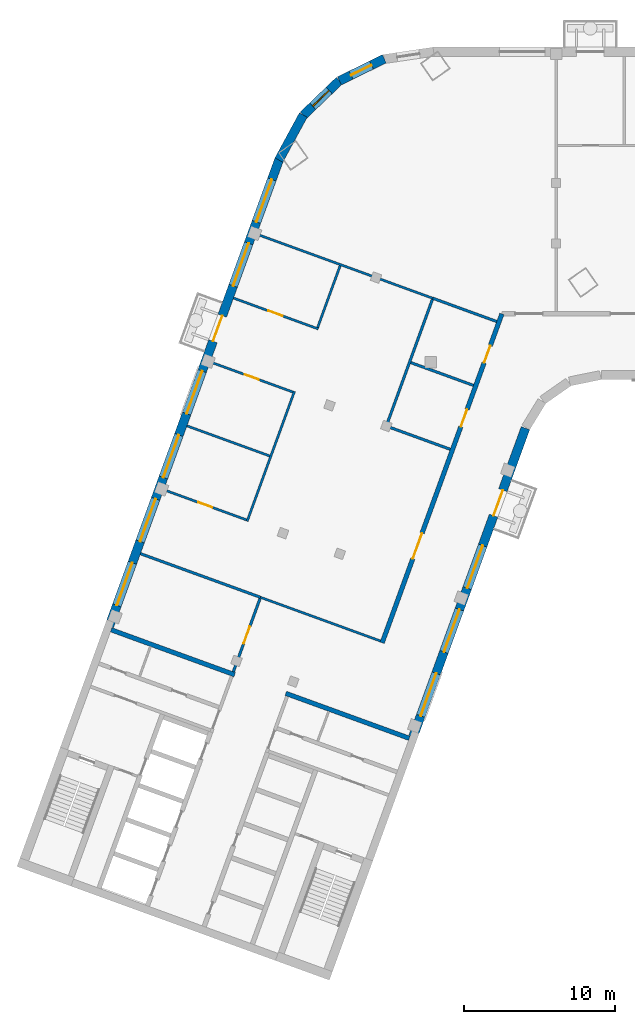
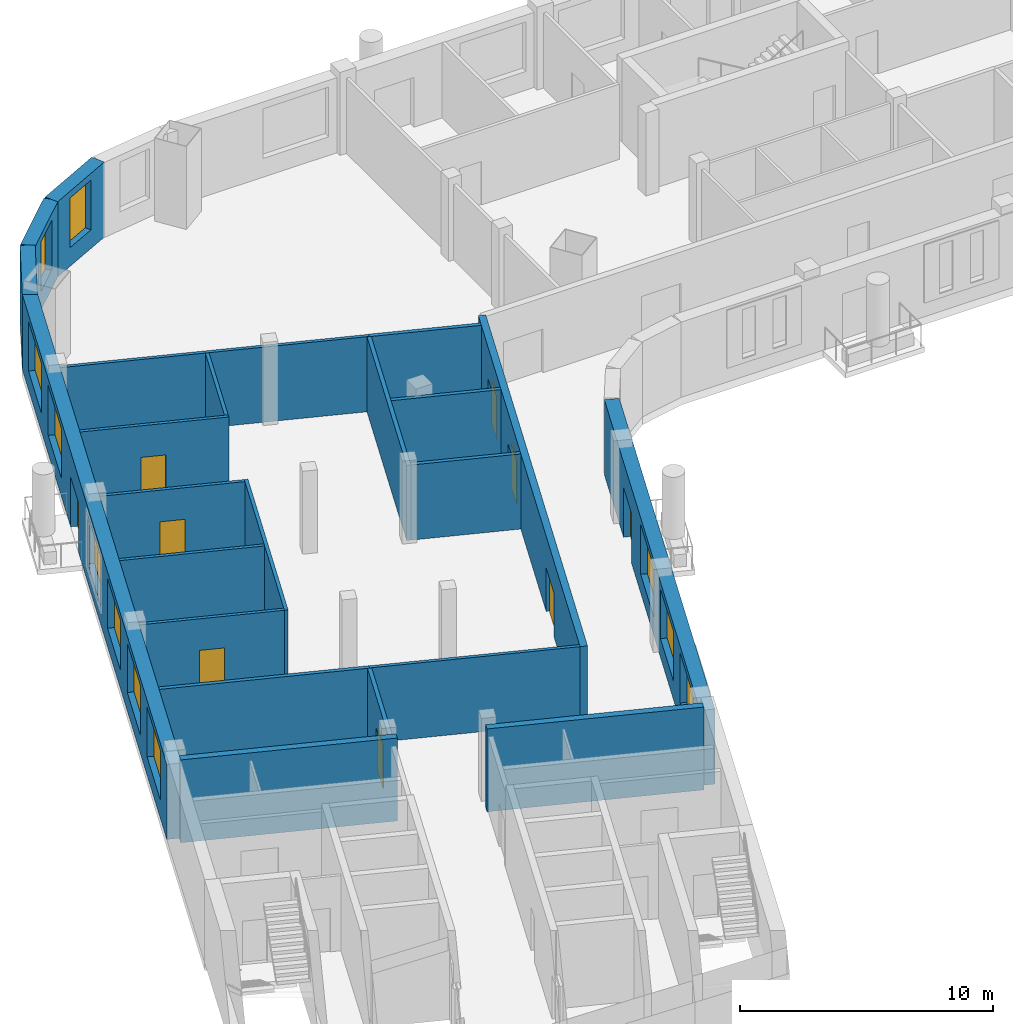
# One storey, part 3 of 10: 22 walls, 11 windows, 9 doors, 20 openings.
"""IFC4 building model written with IfcOpenShell, lengths in metres."""

import ifcopenshell
import ifcopenshell.guid

model = None  # the IFC model being written
_history = None  # IfcOwnerHistory: only IFC2X3 demands one
_inside = {}  # id of a spatial element -> (the spatial element, [elements in it])
_under = {}  # id of a project, library or spatial element -> (it, [spatial elements below it])
_declared = {}  # id of a project -> (the project, [libraries it declares])
_typed = {}  # id of a type object -> (the type object, [elements of that type])
_made_of = {}  # id of a material, layer set ... -> (it, [elements and type objects made of it])


def new_model(schema):
    """Start an empty IFC model of exactly this schema.

    Asked for "IFC4X3", IfcOpenShell would pick the latest addendum, in which some entities
    have other attributes; the version numbers below select the first issue.
    IFC2X3 requires an IfcOwnerHistory on every rooted entity: one is made here for all.
    """
    global model, _history
    if schema == "IFC4X3":
        model = ifcopenshell.file(schema_version=(4, 3, 0, 0))
    else:
        model = ifcopenshell.file(schema=schema)
    _inside.clear()
    _under.clear()
    _declared.clear()
    _typed.clear()
    _made_of.clear()
    _history = None
    if model.schema == "IFC2X3":
        org = make("IfcOrganization", Name="unknown")
        user = make(
            "IfcPersonAndOrganization",
            ThePerson=make("IfcPerson", FamilyName="unknown"),
            TheOrganization=org,
        )
        app = make(
            "IfcApplication",
            ApplicationDeveloper=org,
            Version="unknown",
            ApplicationFullName="unknown",
            ApplicationIdentifier="unknown",
        )
        _history = make(
            "IfcOwnerHistory",
            OwningUser=user,
            OwningApplication=app,
            ChangeAction="ADDED",
            CreationDate=0,
        )
    return model


def make(cls, **values):
    """One entity of the class cls with the attributes given. An attribute that is None is left unset."""
    return model.create_entity(
        cls, **{name: value for name, value in values.items() if value is not None}
    )


def rooted(cls, **values):
    """An entity with a GlobalId (a new one), such as an element, a storey or a relation."""
    return make(cls, GlobalId=ifcopenshell.guid.new(), OwnerHistory=_history, **values)


def si_unit(unit_type, name, prefix=None):
    """IfcSIUnit, for example si_unit("LENGTHUNIT", "METRE", prefix="MILLI")."""
    return make("IfcSIUnit", UnitType=unit_type, Prefix=prefix, Name=name)


def assignment(units):
    """IfcUnitAssignment: the units of a project."""
    return None if units is None else make("IfcUnitAssignment", Units=units)


def point(xyz):
    """IfcCartesianPoint."""
    return None if xyz is None else make("IfcCartesianPoint", Coordinates=xyz)


def direction(xyz):
    """IfcDirection."""
    return None if xyz is None else make("IfcDirection", DirectionRatios=xyz)


def frame(location, z_axis=None, x_axis=None):
    """IfcAxis2Placement3D, a coordinate frame: its origin and axes. An axis left out is left unset."""
    return make(
        "IfcAxis2Placement3D",
        Location=point(location),
        Axis=direction(z_axis),
        RefDirection=direction(x_axis),
    )


def frame_2d(location, x_axis=None):
    """IfcAxis2Placement2D, a coordinate frame in the plane: its origin and x axis."""
    return make(
        "IfcAxis2Placement2D", Location=point(location), RefDirection=direction(x_axis)
    )


def origin():
    """The frame at (0, 0, 0) with its axes left unset."""
    return frame((0.0, 0.0, 0.0))


def place(relative_to, where):
    """IfcLocalPlacement: puts the frame where relative to a parent placement (None: the world)."""
    return make(
        "IfcLocalPlacement", PlacementRelTo=relative_to, RelativePlacement=where
    )


def context(
    kind, dimensions, precision=None, world=None, true_north=None, identifier=None
):
    """IfcGeometricRepresentationContext, for example the 3D "Model" context."""
    return make(
        "IfcGeometricRepresentationContext",
        ContextIdentifier=identifier,
        ContextType=kind,
        CoordinateSpaceDimension=dimensions,
        Precision=precision,
        WorldCoordinateSystem=world,
        TrueNorth=true_north,
    )


def subcontext(parent, identifier, kind, view, scale=None):
    """IfcGeometricRepresentationSubContext, for example "Body" below "Model"."""
    return make(
        "IfcGeometricRepresentationSubContext",
        ContextIdentifier=identifier,
        ContextType=kind,
        ParentContext=parent,
        TargetScale=scale,
        TargetView=view,
    )


def project(units=None, contexts=None):
    """IfcProject with its units and contexts."""
    return rooted(
        "IfcProject",
        Name="project",
        RepresentationContexts=contexts,
        UnitsInContext=assignment(units),
    )


def spatial(cls, under=None, at=None, **own):
    """A site, building, storey or space (cls), placed at a placement, below another one or the project."""
    s = rooted(cls, ObjectPlacement=at, **own)
    if under is not None:
        _under.setdefault(under.id(), (under, []))[1].append(s)
    return s


def profile(cls, at=None, kind="AREA", **sizes):
    """A parametric profile (cls). Its sizes go by their IFC names, for example OverallWidth=200.0."""
    return make(cls, ProfileType=kind, Position=at, **sizes)


def rectangle(**sizes):
    """IfcRectangleProfileDef."""
    return profile("IfcRectangleProfileDef", **sizes)


def extrude(swept, where, along, depth):
    """IfcExtrudedAreaSolid: the profile swept, set in the frame where, extruded along a direction by depth."""
    return make(
        "IfcExtrudedAreaSolid",
        SweptArea=swept,
        Position=where,
        ExtrudedDirection=direction(along),
        Depth=depth,
    )


def shape(context_of_items, identifier, shape_type, items):
    """IfcShapeRepresentation: the items that make up one representation, for example the "Body"."""
    return make(
        "IfcShapeRepresentation",
        ContextOfItems=context_of_items,
        RepresentationIdentifier=identifier,
        RepresentationType=shape_type,
        Items=items,
    )


def material(Name=None, Category=None):
    """IfcMaterial."""
    return make("IfcMaterial", Name=Name, Category=Category)


def layer(
    of_material, thickness, ventilated=None, Name=None, Category=None, Priority=None
):
    """IfcMaterialLayer: one layer of a wall or slab, of a material (None: an air gap)."""
    return make(
        "IfcMaterialLayer",
        Material=of_material,
        LayerThickness=thickness,
        IsVentilated=ventilated,
        Name=Name,
        Category=Category,
        Priority=Priority,
    )


def layer_set(layers, Name=None):
    """IfcMaterialLayerSet."""
    return make("IfcMaterialLayerSet", MaterialLayers=layers, LayerSetName=Name)


def made_of(thing, what):
    """Note that an element or type object is made of a material, layer set ...; save() writes the relation."""
    if what is not None:
        _made_of.setdefault(what.id(), (what, []))[1].append(thing)
    return thing


def type_object(cls, material=None, **own):
    """A type object (cls), such as IfcWallType, which elements share."""
    return made_of(rooted(cls, **own), material)


def element(
    cls,
    number,
    at=None,
    inside=None,
    cuts=None,
    type_object=None,
    material=None,
    context=None,
    identifier="Body",
    shape_type=None,
    held_by="IfcProductDefinitionShape",
    body=None,
    shapes=None,
    **own,
):
    """One element of the class cls, such as IfcWall. Its Tag is "e" and its number.

    at: its placement. inside: the storey or other place that contains it. cuts: it is an
    opening in that element (IfcRelVoidsElement). A single representation is given by context,
    identifier, shape_type and body (its items); several are given by shapes. held_by: the class
    of the entity that holds the representations. save() writes the other relations.
    """
    e = rooted(cls, Tag="e%d" % number, ObjectPlacement=at, **own)
    if body is not None:
        shapes = [shape(context, identifier, shape_type, body)]
    if shapes is not None:
        e.Representation = make(held_by, Representations=shapes)
    if inside is not None:
        _inside.setdefault(inside.id(), (inside, []))[1].append(e)
    if cuts is not None:
        rooted(
            "IfcRelVoidsElement", RelatingBuildingElement=cuts, RelatedOpeningElement=e
        )
    if type_object is not None:
        _typed.setdefault(type_object.id(), (type_object, []))[1].append(e)
    return made_of(e, material)


def fill(opening, filler):
    """IfcRelFillsElement: the door or window that sits in an opening."""
    return rooted(
        "IfcRelFillsElement",
        RelatingOpeningElement=opening,
        RelatedBuildingElement=filler,
    )


def aggregate(whole, parts):
    """IfcRelAggregates: a whole, such as a stair, and the parts it consists of."""
    return rooted("IfcRelAggregates", RelatingObject=whole, RelatedObjects=parts)


def save(model, path):
    """Write the relations noted so far, then the file.

    IfcRelAggregates (storeys below a building ...), IfcRelContainedInSpatialStructure (elements
    in a storey), IfcRelDefinesByType, IfcRelAssociatesMaterial and IfcRelDeclares: one each for
    every whole, place, type object, material and project.
    """
    for whole, parts in _under.values():
        aggregate(whole, parts)
    for where, things in _inside.values():
        rooted(
            "IfcRelContainedInSpatialStructure",
            RelatedElements=things,
            RelatingStructure=where,
        )
    for kind, things in _typed.values():
        rooted("IfcRelDefinesByType", RelatedObjects=things, RelatingType=kind)
    for what, things in _made_of.values():
        rooted("IfcRelAssociatesMaterial", RelatedObjects=things, RelatingMaterial=what)
    for by, libraries in _declared.values():
        rooted("IfcRelDeclares", RelatingContext=by, RelatedDefinitions=libraries)
    model.write(path)


model = new_model("IFC4")

# Units and contexts
model_context = context("Model", 3, precision=1e-05, world=origin(), true_north=direction((0.0, 1.0)))
body_context = subcontext(model_context, "Body", "Model", "MODEL_VIEW")
ifc_project = project(units=[si_unit("LENGTHUNIT", "METRE"), si_unit("AREAUNIT", "SQUARE_METRE"), si_unit("VOLUMEUNIT", "CUBIC_METRE"), si_unit("PLANEANGLEUNIT", "RADIAN"), si_unit("MASSUNIT", "GRAM", prefix="KILO")], contexts=[model_context])

# Site, building, storey
site_placement = place(None, origin())
site = spatial("IfcSite", under=ifc_project, at=site_placement, CompositionType="ELEMENT")
building_placement = place(site_placement, origin())
building = spatial("IfcBuilding", under=site, at=building_placement, Name="Skarvind Civic Tower", CompositionType="ELEMENT")
storey_placement = place(building_placement, frame((0.0, 0.0, 228.0)))
storey = spatial("IfcBuildingStorey", under=building, at=storey_placement, Name="L54", CompositionType="ELEMENT", Elevation=228.0)

# Wall
ifc_material_1 = material(Name="Acoustic gypsum board on steel studs", Category="steel")
ifc_layer_1 = layer(ifc_material_1, 0.175048828125)
ifc_layer_set_1 = layer_set([ifc_layer_1], Name="ACOUSTIC MEETING-ROOM PARTITION 175")
wall_type_1 = type_object("IfcWallType", Name="ACOUSTIC MEETING-ROOM PARTITION 175", PredefinedType="PARTITIONING", material=ifc_layer_set_1)
wall_1_placement = place(storey_placement, frame((26.736083984375, 105.47998046875, 0.0), z_axis=(0.0, 0.0, 1.0), x_axis=(0.939706509432, -0.341981982173, 0.0)))
element("IfcWall", 1, at=wall_1_placement, inside=storey, type_object=wall_type_1, Name="Partition 54.001", PredefinedType="PARTITIONING", context=body_context, shape_type="SweptSolid", body=[
    extrude(rectangle(XDim=8.450439453125, YDim=0.175048828125, at=frame_2d((4.22509765625, 0.0))), origin(), (0.0, 0.0, 1.0), 3.625),
])

# Wall, opening, door
wall_2_placement = place(storey_placement, frame((32.881103515625, 97.656982421875, 0.0), z_axis=(0.0, 0.0, 1.0), x_axis=(0.342058204353, 0.939678766832, 0.0)))
wall_2 = element("IfcWall", 2, at=wall_2_placement, inside=storey, type_object=wall_type_1, Name="Partition 54.007", PredefinedType="PARTITIONING", context=body_context, shape_type="SweptSolid", body=[
    extrude(rectangle(XDim=5.16259765625, YDim=0.175048828125, at=frame_2d((2.581298828125, 0.0))), origin(), (0.0, 0.0, 1.0), 3.625),
])
opening_1_placement = place(wall_2_placement, frame((1.9912109375, 0.0, 0.0)))
opening_1 = element("IfcOpeningElement", 3, at=opening_1_placement, cuts=wall_2, Name="Opening L54-D015", PredefinedType="OPENING", context=body_context, shape_type="SweptSolid", body=[
    extrude(rectangle(XDim=1.199951171875, YDim=2.10009765625, at=frame_2d((0.60009765625, 1.050048828125))), frame((0.0, 0.097412109375, 0.0), z_axis=(0.0, -1.0, 0.0), x_axis=(1.0, 0.0, 0.0)), (0.0, 0.0, 1.0), 0.195068359375),
])
ifc_material_2 = material(Name="Timber door leaf", Category="wood")
door_type_1 = type_object("IfcDoorType", Name="DOOR 1200X2100 DOUBLE TIMBER", OperationType="NOTDEFINED", PredefinedType="DOOR", material=ifc_material_2)
door_1_placement = place(opening_1_placement, origin())
door_1 = element("IfcDoor", 4, at=door_1_placement, inside=storey, type_object=door_type_1, Name="Door L54-D015", OperationType="DOUBLE_DOOR_SINGLE_SWING", OverallHeight=2.10009765625, OverallWidth=1.199951171875, PredefinedType="DOOR", context=body_context, shape_type="SweptSolid", body=[
    extrude(rectangle(XDim=1.199951171875, YDim=2.10009765625, at=frame_2d((0.60009765625, 1.050048828125))), frame((0.0, 0.02490234375, 0.0), z_axis=(0.0, -1.0, 0.0), x_axis=(1.0, 0.0, 0.0)), (0.0, 0.0, 1.0), 0.050048828125),
])
fill(opening_1, door_1)

# Walls
for number, where, z_axis, x_axis, name in (
    (5, (43.087890625, 113.89501953125, 0.0), (0.0, 0.0, 1.0), (0.939691598517, -0.342022951975, 0.0), "Partition 54.012"),
    (6, (44.626953125, 118.1240234375, 0.0), (0.0, 0.0, 1.0), (0.939691598517, -0.342022951975, 0.0), "Partition 54.013"),
):
    element("IfcWall", number, at=place(storey_placement, frame(where, z_axis=z_axis, x_axis=x_axis)), inside=storey, type_object=wall_type_1, Name=name, PredefinedType="PARTITIONING", context=body_context, shape_type="SweptSolid", body=[
        extrude(rectangle(XDim=4.412109375, YDim=0.175048828125, at=frame_2d((2.2060546875, 0.0))), origin(), (0.0, 0.0, 1.0), 3.625),
    ])
wall_3_placement = place(storey_placement, frame((46.053955078125, 122.301025390625, 0.0), z_axis=(0.0, 0.0, 1.0), x_axis=(-0.341963022424, -0.939713409128, 0.0)))
element("IfcWall", 7, at=wall_3_placement, inside=storey, type_object=wall_type_1, Name="Partition 54.014", PredefinedType="PARTITIONING", context=body_context, shape_type="SweptSolid", body=[
    extrude(rectangle(XDim=9.000732421875, YDim=0.175048828125, at=frame_2d((4.50048828125, 0.0))), origin(), (0.0, 0.0, 1.0), 3.625),
])
wall_4_placement = place(storey_placement, frame((50.31201171875, 120.843017578125, 0.0), z_axis=(0.0, 0.0, 1.0), x_axis=(-0.939609529273, 0.342248349154, 0.0)))
element("IfcWall", 8, at=wall_4_placement, inside=storey, type_object=wall_type_1, Name="Partition 54.015", PredefinedType="PARTITIONING", context=body_context, shape_type="SweptSolid", body=[
    extrude(rectangle(XDim=4.499755859375, YDim=0.175048828125, at=frame_2d((2.25, 0.0))), origin(), (0.0, 0.0, 1.0), 3.625),
])

# Wall, openings, doors
ifc_material_3 = material(Name="Fire-rated gypsum board on steel studs", Category="steel")
ifc_layer_2 = layer(ifc_material_3, 0.300048828125)
ifc_layer_set_2 = layer_set([ifc_layer_2], Name="CORRIDOR WALL 300")
wall_type_2 = type_object("IfcWallType", Name="CORRIDOR WALL 300", PredefinedType="PARTITIONING", material=ifc_layer_set_2)
wall_5_placement = place(storey_placement, frame((42.73193359375, 99.5791015625, 0.0), z_axis=(0.0, 0.0, 1.0), x_axis=(0.342053589012, 0.939680446877, 0.0)))
wall_5 = element("IfcWall", 9, at=wall_5_placement, inside=storey, type_object=wall_type_2, Name="Partition 54.011", PredefinedType="PARTITIONING", context=body_context, shape_type="SweptSolid", body=[
    extrude(rectangle(XDim=23.166259765625, YDim=0.300048828125, at=frame_2d((11.5830078125, 0.0))), origin(), (0.0, 0.0, 1.0), 3.625),
])
opening_2_placement = place(wall_5_placement, frame((15.224853515625, 0.0, 0.0)))
opening_2 = element("IfcOpeningElement", 10, at=opening_2_placement, cuts=wall_5, Name="Opening L54-D016", PredefinedType="OPENING", context=body_context, shape_type="SweptSolid", body=[
    extrude(rectangle(XDim=1.199951171875, YDim=2.10009765625, at=frame_2d((0.60009765625, 1.050048828125))), frame((0.0, 0.159912109375, 0.0), z_axis=(0.0, -1.0, 0.0), x_axis=(1.0, 0.0, 0.0)), (0.0, 0.0, 1.0), 0.320068359375),
])
opening_3_placement = place(wall_5_placement, frame((19.724609375, 0.0, 0.0)))
opening_3 = element("IfcOpeningElement", 11, at=opening_3_placement, cuts=wall_5, Name="Opening L54-D017", PredefinedType="OPENING", context=body_context, shape_type="SweptSolid", body=[
    extrude(rectangle(XDim=1.199951171875, YDim=2.10009765625, at=frame_2d((0.60009765625, 1.050048828125))), frame((0.0, 0.159912109375, 0.0), z_axis=(0.0, -1.0, 0.0), x_axis=(1.0, 0.0, 0.0)), (0.0, 0.0, 1.0), 0.320068359375),
])
opening_4_placement = place(wall_5_placement, frame((5.924560546875, 0.0, 0.0)))
opening_4 = element("IfcOpeningElement", 12, at=opening_4_placement, cuts=wall_5, Name="Opening L54-D021", PredefinedType="OPENING", context=body_context, shape_type="SweptSolid", body=[
    extrude(rectangle(XDim=1.800048828125, YDim=2.10009765625, at=frame_2d((0.89990234375, 1.050048828125))), frame((0.0, 0.159912109375, 0.0), z_axis=(0.0, -1.0, 0.0), x_axis=(1.0, 0.0, 0.0)), (0.0, 0.0, 1.0), 0.320068359375),
])
ifc_material_4 = material(Name="Fire-rated timber door leaf", Category="wood")
door_type_2 = type_object("IfcDoorType", Name="FD4 1800x2100", OperationType="NOTDEFINED", PredefinedType="DOOR", material=ifc_material_4)
door_2_placement = place(opening_4_placement, origin())
door_2 = element("IfcDoor", 13, at=door_2_placement, inside=storey, type_object=door_type_2, Name="Door L54-D021", OperationType="DOUBLE_DOOR_SINGLE_SWING", OverallHeight=2.10009765625, OverallWidth=1.800048828125, PredefinedType="DOOR", context=body_context, shape_type="SweptSolid", body=[
    extrude(rectangle(XDim=1.800048828125, YDim=2.10009765625, at=frame_2d((0.89990234375, 1.050048828125))), frame((0.0, 0.02490234375, 0.0), z_axis=(0.0, -1.0, 0.0), x_axis=(1.0, 0.0, 0.0)), (0.0, 0.0, 1.0), 0.050048828125),
])
fill(opening_4, door_2)
door_type_3 = type_object("IfcDoorType", Name="FD6 1200x2100 DOUBLE", OperationType="NOTDEFINED", PredefinedType="DOOR", material=ifc_material_4)
door_3_placement = place(opening_2_placement, origin())
door_3 = element("IfcDoor", 14, at=door_3_placement, inside=storey, type_object=door_type_3, Name="Door L54-D016", OperationType="DOUBLE_DOOR_SINGLE_SWING", OverallHeight=2.10009765625, OverallWidth=1.199951171875, PredefinedType="DOOR", context=body_context, shape_type="SweptSolid", body=[
    extrude(rectangle(XDim=1.199951171875, YDim=2.10009765625, at=frame_2d((0.60009765625, 1.050048828125))), frame((0.0, 0.02490234375, 0.0), z_axis=(0.0, -1.0, 0.0), x_axis=(1.0, 0.0, 0.0)), (0.0, 0.0, 1.0), 0.050048828125),
])
fill(opening_2, door_3)
door_4_placement = place(opening_3_placement, origin())
door_4 = element("IfcDoor", 15, at=door_4_placement, inside=storey, type_object=door_type_3, Name="Door L54-D017", OperationType="DOUBLE_DOOR_SINGLE_SWING", OverallHeight=2.10009765625, OverallWidth=1.199951171875, PredefinedType="DOOR", context=body_context, shape_type="SweptSolid", body=[
    extrude(rectangle(XDim=1.199951171875, YDim=2.10009765625, at=frame_2d((0.60009765625, 1.050048828125))), frame((0.0, 0.02490234375, 0.0), z_axis=(0.0, -1.0, 0.0), x_axis=(1.0, 0.0, 0.0)), (0.0, 0.0, 1.0), 0.050048828125),
])
fill(opening_3, door_4)

# Walls
ifc_material_5 = material(Name="Concrete C60", Category="concrete")
ifc_layer_3 = layer(ifc_material_5, 0.300048828125)
ifc_layer_set_3 = layer_set([ifc_layer_3], Name="Core wall 300 C60")
wall_type_3 = type_object("IfcWallType", Name="Core wall 300 C60", PredefinedType="SHEAR", material=ifc_layer_set_3)
wall_6_placement = place(storey_placement, frame((44.52880859375, 93.258056640625, 0.0), z_axis=(0.0, 0.0, 1.0), x_axis=(-0.9396917844, 0.342022441267, 0.0)))
element("IfcWall", 16, at=wall_6_placement, inside=storey, type_object=wall_type_3, Name="Core wall C2 south inner face L54", PredefinedType="SHEAR", context=body_context, shape_type="SweptSolid", body=[
    extrude(rectangle(XDim=8.699951171875, YDim=0.300048828125, at=frame_2d((4.35009765625, 0.0))), origin(), (0.0, 0.0, 1.0), 4.0),
])
wall_7_placement = place(storey_placement, frame((32.970703125, 97.46484375, 0.0), z_axis=(0.0, 0.0, 1.0), x_axis=(-0.939695066972, 0.34201342241, 0.0)))
element("IfcWall", 17, at=wall_7_placement, inside=storey, type_object=wall_type_3, Name="Core wall C2 north inner face L54", PredefinedType="SHEAR", context=body_context, shape_type="SweptSolid", body=[
    extrude(rectangle(XDim=8.7001953125, YDim=0.300048828125, at=frame_2d((4.35009765625, 0.0))), origin(), (0.0, 0.0, 1.0), 4.0),
])
ifc_material_6 = material(Name="Plasterboard partition on steel studs", Category="steel")
ifc_layer_4 = layer(ifc_material_6, 0.14990234375)
ifc_layer_set_4 = layer_set([ifc_layer_4], Name="PARTITION 150")
wall_type_4 = type_object("IfcWallType", Name="PARTITION 150", PredefinedType="PARTITIONING", material=ifc_layer_set_4)
wall_8_placement = place(storey_placement, frame((29.81396484375, 113.93798828125, 0.0), z_axis=(0.0, 0.0, 1.0), x_axis=(0.939738354986, -0.341894463495, 0.0)))
element("IfcWall", 18, at=wall_8_placement, inside=storey, type_object=wall_type_4, Name="Partition 54.002", PredefinedType="PARTITIONING", context=body_context, shape_type="SweptSolid", body=[
    extrude(rectangle(XDim=5.826171875, YDim=0.14990234375, at=frame_2d((2.9130859375, 0.0))), origin(), (0.0, 0.0, 1.0), 3.625),
])

# Wall, opening, door
wall_9_placement = place(storey_placement, frame((31.35302734375, 118.166015625, 0.0), z_axis=(0.0, 0.0, 1.0), x_axis=(0.939733456466, -0.341907927371, 0.0)))
wall_9 = element("IfcWall", 19, at=wall_9_placement, inside=storey, type_object=wall_type_4, Name="Partition 54.003", PredefinedType="PARTITIONING", context=body_context, shape_type="SweptSolid", body=[
    extrude(rectangle(XDim=5.825927734375, YDim=0.14990234375, at=frame_2d((2.9130859375, 0.0))), origin(), (0.0, 0.0, 1.0), 3.625),
])
opening_5_placement = place(wall_9_placement, frame((2.42333984375, 0.0, 0.0)))
opening_5 = element("IfcOpeningElement", 20, at=opening_5_placement, cuts=wall_9, Name="Opening L54-D019", PredefinedType="OPENING", context=body_context, shape_type="SweptSolid", body=[
    extrude(rectangle(XDim=1.0, YDim=2.10009765625, at=frame_2d((0.5, 1.050048828125))), frame((0.0, 0.0849609375, 0.0), z_axis=(0.0, -1.0, 0.0), x_axis=(1.0, 0.0, 0.0)), (0.0, 0.0, 1.0), 0.169921875),
])
door_type_4 = type_object("IfcDoorType", Name="D1 1000x2100", OperationType="NOTDEFINED", PredefinedType="DOOR", material=ifc_material_2)
door_5_placement = place(opening_5_placement, origin())
door_5 = element("IfcDoor", 21, at=door_5_placement, inside=storey, type_object=door_type_4, Name="Door L54-D019", OperationType="SINGLE_SWING_LEFT", OverallHeight=2.10009765625, OverallWidth=1.0, PredefinedType="DOOR", context=body_context, shape_type="SweptSolid", body=[
    extrude(rectangle(XDim=1.0, YDim=2.10009765625, at=frame_2d((0.5, 1.050048828125))), frame((0.0, 0.02490234375, 0.0), z_axis=(0.0, -1.0, 0.0), x_axis=(1.0, 0.0, 0.0)), (0.0, 0.0, 1.0), 0.050048828125),
])
fill(opening_5, door_5)

wall_10_placement = place(storey_placement, frame((33.7490234375, 107.717041015625, 0.0), z_axis=(0.0, 0.0, 1.0), x_axis=(-0.939718757431, 0.341948324943, 0.0)))
wall_10 = element("IfcWall", 22, at=wall_10_placement, inside=storey, type_object=wall_type_4, Name="Partition 54.004", PredefinedType="PARTITIONING", context=body_context, shape_type="SweptSolid", body=[
    extrude(rectangle(XDim=5.8251953125, YDim=0.14990234375, at=frame_2d((2.91259765625, 0.0))), origin(), (0.0, 0.0, 1.0), 3.625),
])
opening_6_placement = place(wall_10_placement, frame((2.402587890625, 0.0, 0.0)))
opening_6 = element("IfcOpeningElement", 23, at=opening_6_placement, cuts=wall_10, Name="Opening L54-D018", PredefinedType="OPENING", context=body_context, shape_type="SweptSolid", body=[
    extrude(rectangle(XDim=1.0, YDim=2.10009765625, at=frame_2d((0.5, 1.050048828125))), frame((0.0, 0.0849609375, 0.0), z_axis=(0.0, -1.0, 0.0), x_axis=(1.0, 0.0, 0.0)), (0.0, 0.0, 1.0), 0.169921875),
])
door_6_placement = place(opening_6_placement, origin())
door_6 = element("IfcDoor", 24, at=door_6_placement, inside=storey, type_object=door_type_4, Name="Door L54-D018", OperationType="SINGLE_SWING_LEFT", OverallHeight=2.10009765625, OverallWidth=1.0, PredefinedType="DOOR", context=body_context, shape_type="SweptSolid", body=[
    extrude(rectangle(XDim=1.0, YDim=2.10009765625, at=frame_2d((0.5, 1.050048828125))), frame((0.0, 0.02490234375, 0.0), z_axis=(0.0, -1.0, 0.0), x_axis=(1.0, 0.0, 0.0)), (0.0, 0.0, 1.0), 0.050048828125),
])
fill(opening_6, door_6)

# Walls
wall_11_placement = place(storey_placement, frame((36.924072265625, 116.218017578125, 0.0), z_axis=(0.0, 0.0, 1.0), x_axis=(-0.342220796767, -0.939619564643, 0.0)))
element("IfcWall", 25, at=wall_11_placement, inside=storey, type_object=wall_type_4, Name="Partition 54.005", PredefinedType="PARTITIONING", context=body_context, shape_type="SweptSolid", body=[
    extrude(rectangle(XDim=9.1494140625, YDim=0.14990234375, at=frame_2d((4.57470703125, 0.0))), origin(), (0.0, 0.0, 1.0), 3.625),
])
wall_12_placement = place(storey_placement, frame((34.430908203125, 126.6240234375, 0.0), z_axis=(0.0, 0.0, 1.0), x_axis=(0.939703144457, -0.341991228392, 0.0)))
element("IfcWall", 26, at=wall_12_placement, inside=storey, type_object=wall_type_4, Name="Partition 54.006", PredefinedType="PARTITIONING", context=body_context, shape_type="SweptSolid", body=[
    extrude(rectangle(XDim=12.40087890625, YDim=0.14990234375, at=frame_2d((6.200439453125, 0.0))), origin(), (0.0, 0.0, 1.0), 3.625),
])
wall_13_placement = place(storey_placement, frame((34.677001953125, 102.590087890625, 0.0), z_axis=(0.0, 0.0, 1.0), x_axis=(0.939683705252, -0.342044637561, 0.0)))
element("IfcWall", 27, at=wall_13_placement, inside=storey, type_object=wall_type_4, Name="Partition 54.008", PredefinedType="PARTITIONING", context=body_context, shape_type="SweptSolid", body=[
    extrude(rectangle(XDim=8.44970703125, YDim=0.14990234375, at=frame_2d((4.224853515625, 0.0))), origin(), (0.0, 0.0, 1.0), 3.625),
])

# Wall, opening, door
wall_14_placement = place(storey_placement, frame((38.507080078125, 120.35107421875, 0.0), z_axis=(0.0, 0.0, 1.0), x_axis=(-0.939678850769, 0.342057973766, 0.0)))
wall_14 = element("IfcWall", 28, at=wall_14_placement, inside=storey, type_object=wall_type_4, Name="Partition 54.009", PredefinedType="PARTITIONING", context=body_context, shape_type="SweptSolid", body=[
    extrude(rectangle(XDim=5.975341796875, YDim=0.14990234375, at=frame_2d((2.98779296875, 0.0))), origin(), (0.0, 0.0, 1.0), 3.625),
])
opening_7_placement = place(wall_14_placement, frame((2.52490234375, 0.0, 0.0)))
opening_7 = element("IfcOpeningElement", 29, at=opening_7_placement, cuts=wall_14, Name="Opening L54-D020", PredefinedType="OPENING", context=body_context, shape_type="SweptSolid", body=[
    extrude(rectangle(XDim=1.0, YDim=2.10009765625, at=frame_2d((0.5, 1.050048828125))), frame((0.0, 0.0849609375, 0.0), z_axis=(0.0, -1.0, 0.0), x_axis=(1.0, 0.0, 0.0)), (0.0, 0.0, 1.0), 0.169921875),
])
door_7_placement = place(opening_7_placement, origin())
door_7 = element("IfcDoor", 30, at=door_7_placement, inside=storey, type_object=door_type_4, Name="Door L54-D020", OperationType="SINGLE_SWING_LEFT", OverallHeight=2.10009765625, OverallWidth=1.0, PredefinedType="DOOR", context=body_context, shape_type="SweptSolid", body=[
    extrude(rectangle(XDim=1.0, YDim=2.10009765625, at=frame_2d((0.5, 1.050048828125))), frame((0.0, 0.02490234375, 0.0), z_axis=(0.0, -1.0, 0.0), x_axis=(1.0, 0.0, 0.0)), (0.0, 0.0, 1.0), 0.050048828125),
])
fill(opening_7, door_7)

# Wall
wall_15_placement = place(storey_placement, frame((39.949951171875, 124.535888671875, 0.0), z_axis=(0.0, 0.0, 1.0), x_axis=(-0.341783611499, -0.939778677621, 0.0)))
element("IfcWall", 31, at=wall_15_placement, inside=storey, type_object=wall_type_4, Name="Partition 54.010", PredefinedType="PARTITIONING", context=body_context, shape_type="SweptSolid", body=[
    extrude(rectangle(XDim=4.350830078125, YDim=0.14990234375, at=frame_2d((2.17529296875, 0.0))), origin(), (0.0, 0.0, 1.0), 3.625),
])

# Wall, openings, door, windows
ifc_material_7 = material(Name="Limestone masonry cladding on insulated backing", Category="masonry")
ifc_layer_5 = layer(ifc_material_7, 0.60009765625)
ifc_layer_set_5 = layer_set([ifc_layer_5], Name="WX1 STONE FACADE WALL 600")
wall_type_5 = type_object("IfcWallType", Name="WX1 STONE FACADE WALL 600", PredefinedType="SOLIDWALL", material=ifc_layer_set_5)
wall_16_placement = place(storey_placement, frame((52.212158203125, 113.78271484375, 0.0), z_axis=(0.0, 0.0, 1.0), x_axis=(-0.34202521188, -0.939690775968, 0.0)))
wall_16 = element("IfcWall", 32, at=wall_16_placement, inside=storey, type_object=wall_type_5, Name="STONE FACADE WALL", PredefinedType="SOLIDWALL", context=body_context, shape_type="SweptSolid", body=[
    extrude(rectangle(XDim=21.744873046875, YDim=0.60009765625, at=frame_2d((10.87255859375, 0.0))), origin(), (0.0, 0.0, 1.0), 3.625),
])
opening_8_placement = place(wall_16_placement, frame((4.364990234375, 0.0, 0.0)))
opening_8 = element("IfcOpeningElement", 33, at=opening_8_placement, cuts=wall_16, Name="Opening DX3", PredefinedType="OPENING", context=body_context, shape_type="SweptSolid", body=[
    extrude(rectangle(XDim=1.800048828125, YDim=2.39990234375, at=frame_2d((0.89990234375, 1.199951171875))), frame((0.0, 0.31005859375, 0.0), z_axis=(0.0, -1.0, 0.0), x_axis=(1.0, 0.0, 0.0)), (0.0, 0.0, 1.0), 0.6201171875),
])
opening_9_placement = place(wall_16_placement, frame((8.264892578125, 0.0, 0.89990234375)))
opening_9 = element("IfcOpeningElement", 34, at=opening_9_placement, cuts=wall_16, Name="Opening WN1", PredefinedType="OPENING", context=body_context, shape_type="SweptSolid", body=[
    extrude(rectangle(XDim=3.0, YDim=2.39990234375, at=frame_2d((1.5, 1.199951171875))), frame((0.0, 0.31005859375, 0.0), z_axis=(0.0, -1.0, 0.0), x_axis=(1.0, 0.0, 0.0)), (0.0, 0.0, 1.0), 0.6201171875),
])
opening_10_placement = place(wall_16_placement, frame((12.764892578125, 0.0, 0.89990234375)))
opening_10 = element("IfcOpeningElement", 35, at=opening_10_placement, cuts=wall_16, Name="Opening WN1", PredefinedType="OPENING", context=body_context, shape_type="SweptSolid", body=[
    extrude(rectangle(XDim=3.0, YDim=2.39990234375, at=frame_2d((1.5, 1.199951171875))), frame((0.0, 0.31005859375, 0.0), z_axis=(0.0, -1.0, 0.0), x_axis=(1.0, 0.0, 0.0)), (0.0, 0.0, 1.0), 0.6201171875),
])
opening_11_placement = place(wall_16_placement, frame((17.264892578125, 0.0, 0.89990234375)))
opening_11 = element("IfcOpeningElement", 36, at=opening_11_placement, cuts=wall_16, Name="Opening WN1", PredefinedType="OPENING", context=body_context, shape_type="SweptSolid", body=[
    extrude(rectangle(XDim=3.0, YDim=2.39990234375, at=frame_2d((1.5, 1.199951171875))), frame((0.0, 0.31005859375, 0.0), z_axis=(0.0, -1.0, 0.0), x_axis=(1.0, 0.0, 0.0)), (0.0, 0.0, 1.0), 0.6201171875),
])
ifc_material_8 = material(Name="Timber and glass doorset", Category="wood")
door_type_5 = type_object("IfcDoorType", Name="DX3 TERRACE DOORS 1800 x 2400", OperationType="NOTDEFINED", PredefinedType="DOOR", material=ifc_material_8)
door_8_placement = place(opening_8_placement, origin())
door_8 = element("IfcDoor", 37, at=door_8_placement, inside=storey, type_object=door_type_5, Name="TERRACE DOORS", OperationType="DOUBLE_DOOR_SINGLE_SWING", OverallHeight=2.39990234375, OverallWidth=1.800048828125, PredefinedType="DOOR", context=body_context, shape_type="SweptSolid", body=[
    extrude(rectangle(XDim=1.800048828125, YDim=2.39990234375, at=frame_2d((0.89990234375, 1.199951171875))), frame((0.0, 0.02490234375, 0.0), z_axis=(0.0, -1.0, 0.0), x_axis=(1.0, 0.0, 0.0)), (0.0, 0.0, 1.0), 0.050048828125),
])
fill(opening_8, door_8)
ifc_material_9 = material(Name="Timber frame, double glazing, timber-lined reveal", Category="wood")
window_type_1 = type_object("IfcWindowType", Name="WN1 PUNCHED STONE WINDOW 3000 x 2400", PartitioningType="SINGLE_PANEL", PredefinedType="WINDOW", material=ifc_material_9)
window_1_placement = place(opening_9_placement, origin())
window_1 = element("IfcWindow", 38, at=window_1_placement, inside=storey, type_object=window_type_1, Name="WN1 WINDOW", OverallHeight=2.39990234375, OverallWidth=3.0, PartitioningType="SINGLE_PANEL", PredefinedType="WINDOW", context=body_context, shape_type="SweptSolid", body=[
    extrude(rectangle(XDim=3.0, YDim=2.39990234375, at=frame_2d((1.5, 1.199951171875))), frame((0.0, 0.030029296875, 0.0), z_axis=(0.0, -1.0, 0.0), x_axis=(1.0, 0.0, 0.0)), (0.0, 0.0, 1.0), 0.06005859375),
])
fill(opening_9, window_1)
window_2_placement = place(opening_10_placement, origin())
window_2 = element("IfcWindow", 39, at=window_2_placement, inside=storey, type_object=window_type_1, Name="WN1 WINDOW", OverallHeight=2.39990234375, OverallWidth=3.0, PartitioningType="SINGLE_PANEL", PredefinedType="WINDOW", context=body_context, shape_type="SweptSolid", body=[
    extrude(rectangle(XDim=3.0, YDim=2.39990234375, at=frame_2d((1.5, 1.199951171875))), frame((0.0, 0.030029296875, 0.0), z_axis=(0.0, -1.0, 0.0), x_axis=(1.0, 0.0, 0.0)), (0.0, 0.0, 1.0), 0.06005859375),
])
fill(opening_10, window_2)
window_3_placement = place(opening_11_placement, origin())
window_3 = element("IfcWindow", 40, at=window_3_placement, inside=storey, type_object=window_type_1, Name="WN1 WINDOW", OverallHeight=2.39990234375, OverallWidth=3.0, PartitioningType="SINGLE_PANEL", PredefinedType="WINDOW", context=body_context, shape_type="SweptSolid", body=[
    extrude(rectangle(XDim=3.0, YDim=2.39990234375, at=frame_2d((1.5, 1.199951171875))), frame((0.0, 0.030029296875, 0.0), z_axis=(0.0, -1.0, 0.0), x_axis=(1.0, 0.0, 0.0)), (0.0, 0.0, 1.0), 0.06005859375),
])
fill(opening_11, window_3)

# Wall, opening, window
wall_17_placement = place(storey_placement, frame((39.9072265625, 136.77587890625, 0.0), z_axis=(0.0, 0.0, 1.0), x_axis=(0.89761231107, 0.440785819889, 0.0)))
wall_17 = element("IfcWall", 41, at=wall_17_placement, inside=storey, type_object=wall_type_5, Name="STONE FACADE WALL", PredefinedType="SOLIDWALL", context=body_context, shape_type="SweptSolid", body=[
    extrude(rectangle(XDim=3.302734375, YDim=0.60009765625, at=frame_2d((1.6513671875, 0.0))), origin(), (0.0, 0.0, 1.0), 3.625),
])
opening_12_placement = place(wall_17_placement, frame((0.8564453125, 0.0, 0.89990234375)))
opening_12 = element("IfcOpeningElement", 42, at=opening_12_placement, cuts=wall_17, Name="Opening WN8", PredefinedType="OPENING", context=body_context, shape_type="SweptSolid", body=[
    extrude(rectangle(XDim=1.5, YDim=2.39990234375, at=frame_2d((0.75, 1.199951171875))), frame((0.0, 0.31005859375, 0.0), z_axis=(0.0, -1.0, 0.0), x_axis=(1.0, 0.0, 0.0)), (0.0, 0.0, 1.0), 0.6201171875),
])
window_type_2 = type_object("IfcWindowType", Name="WN8 ARC BAY WINDOW 1500 x 2400", PartitioningType="SINGLE_PANEL", PredefinedType="WINDOW", material=ifc_material_9)
window_4_placement = place(opening_12_placement, origin())
window_4 = element("IfcWindow", 43, at=window_4_placement, inside=storey, type_object=window_type_2, Name="WN8 WINDOW", OverallHeight=2.39990234375, OverallWidth=1.5, PartitioningType="SINGLE_PANEL", PredefinedType="WINDOW", context=body_context, shape_type="SweptSolid", body=[
    extrude(rectangle(XDim=1.5, YDim=2.39990234375, at=frame_2d((0.75, 1.199951171875))), frame((0.0, 0.030029296875, 0.0), z_axis=(0.0, -1.0, 0.0), x_axis=(1.0, 0.0, 0.0)), (0.0, 0.0, 1.0), 0.06005859375),
])
fill(opening_12, window_4)

wall_18_placement = place(storey_placement, frame((37.520263671875, 134.501220703125, 0.0), z_axis=(0.0, 0.0, 1.0), x_axis=(0.72115684486, 0.692771827596, 0.0)))
wall_18 = element("IfcWall", 44, at=wall_18_placement, inside=storey, type_object=wall_type_5, Name="STONE FACADE WALL", PredefinedType="SOLIDWALL", context=body_context, shape_type="SweptSolid", body=[
    extrude(rectangle(XDim=3.302734375, YDim=0.60009765625, at=frame_2d((1.6513671875, 0.0))), origin(), (0.0, 0.0, 1.0), 3.625),
])
opening_13_placement = place(wall_18_placement, frame((0.8564453125, 0.0, 0.89990234375)))
opening_13 = element("IfcOpeningElement", 45, at=opening_13_placement, cuts=wall_18, Name="Opening WN8", PredefinedType="OPENING", context=body_context, shape_type="SweptSolid", body=[
    extrude(rectangle(XDim=1.5, YDim=2.39990234375, at=frame_2d((0.75, 1.199951171875))), frame((0.0, 0.31005859375, 0.0), z_axis=(0.0, -1.0, 0.0), x_axis=(1.0, 0.0, 0.0)), (0.0, 0.0, 1.0), 0.6201171875),
])
window_5_placement = place(opening_13_placement, origin())
window_5 = element("IfcWindow", 46, at=window_5_placement, inside=storey, type_object=window_type_2, Name="WN8 WINDOW", OverallHeight=2.39990234375, OverallWidth=1.5, PartitioningType="SINGLE_PANEL", PredefinedType="WINDOW", context=body_context, shape_type="SweptSolid", body=[
    extrude(rectangle(XDim=1.5, YDim=2.39990234375, at=frame_2d((0.75, 1.199951171875))), frame((0.0, 0.030029296875, 0.0), z_axis=(0.0, -1.0, 0.0), x_axis=(1.0, 0.0, 0.0)), (0.0, 0.0, 1.0), 0.06005859375),
])
fill(opening_13, window_5)

# Wall
wall_19_placement = place(storey_placement, frame((35.89453125, 131.529541015625, 0.0), z_axis=(0.0, 0.0, 1.0), x_axis=(0.476531180538, 0.879157570618, 0.0)))
element("IfcWall", 47, at=wall_19_placement, inside=storey, type_object=wall_type_5, Name="STONE FACADE WALL", PredefinedType="SOLIDWALL", context=body_context, shape_type="SweptSolid", body=[
    extrude(rectangle(XDim=3.392578125, YDim=0.60009765625, at=frame_2d((1.6962890625, 0.0))), origin(), (0.0, 0.0, 1.0), 3.625),
])

# Wall, openings, door, windows
wall_20_placement = place(storey_placement, frame((24.66552734375, 100.668701171875, 0.0), z_axis=(0.0, 0.0, 1.0), x_axis=(0.34201964167, 0.939692803373, 0.0)))
wall_20 = element("IfcWall", 48, at=wall_20_placement, inside=storey, type_object=wall_type_5, Name="STONE FACADE WALL", PredefinedType="SOLIDWALL", context=body_context, shape_type="SweptSolid", body=[
    extrude(rectangle(XDim=32.88427734375, YDim=0.60009765625, at=frame_2d((16.442138671875, 0.0))), origin(), (0.0, 0.0, 1.0), 3.625),
])
opening_14_placement = place(wall_20_placement, frame((1.47998046875, 0.0, 0.89990234375)))
opening_14 = element("IfcOpeningElement", 49, at=opening_14_placement, cuts=wall_20, Name="Opening WN1", PredefinedType="OPENING", context=body_context, shape_type="SweptSolid", body=[
    extrude(rectangle(XDim=3.0, YDim=2.39990234375, at=frame_2d((1.5, 1.199951171875))), frame((0.0, 0.31005859375, 0.0), z_axis=(0.0, -1.0, 0.0), x_axis=(1.0, 0.0, 0.0)), (0.0, 0.0, 1.0), 0.6201171875),
])
opening_15_placement = place(wall_20_placement, frame((5.97998046875, 0.0, 0.89990234375)))
opening_15 = element("IfcOpeningElement", 50, at=opening_15_placement, cuts=wall_20, Name="Opening WN1", PredefinedType="OPENING", context=body_context, shape_type="SweptSolid", body=[
    extrude(rectangle(XDim=3.0, YDim=2.39990234375, at=frame_2d((1.5, 1.199951171875))), frame((0.0, 0.31005859375, 0.0), z_axis=(0.0, -1.0, 0.0), x_axis=(1.0, 0.0, 0.0)), (0.0, 0.0, 1.0), 0.6201171875),
])
opening_16_placement = place(wall_20_placement, frame((10.47998046875, 0.0, 0.89990234375)))
opening_16 = element("IfcOpeningElement", 51, at=opening_16_placement, cuts=wall_20, Name="Opening WN1", PredefinedType="OPENING", context=body_context, shape_type="SweptSolid", body=[
    extrude(rectangle(XDim=3.0, YDim=2.39990234375, at=frame_2d((1.5, 1.199951171875))), frame((0.0, 0.31005859375, 0.0), z_axis=(0.0, -1.0, 0.0), x_axis=(1.0, 0.0, 0.0)), (0.0, 0.0, 1.0), 0.6201171875),
])
opening_17_placement = place(wall_20_placement, frame((14.97998046875, 0.0, 0.89990234375)))
opening_17 = element("IfcOpeningElement", 52, at=opening_17_placement, cuts=wall_20, Name="Opening WN1", PredefinedType="OPENING", context=body_context, shape_type="SweptSolid", body=[
    extrude(rectangle(XDim=3.0, YDim=2.39990234375, at=frame_2d((1.5, 1.199951171875))), frame((0.0, 0.31005859375, 0.0), z_axis=(0.0, -1.0, 0.0), x_axis=(1.0, 0.0, 0.0)), (0.0, 0.0, 1.0), 0.6201171875),
])
opening_18_placement = place(wall_20_placement, frame((20.080078125, 0.0, 0.0)))
opening_18 = element("IfcOpeningElement", 53, at=opening_18_placement, cuts=wall_20, Name="Opening DX3", PredefinedType="OPENING", context=body_context, shape_type="SweptSolid", body=[
    extrude(rectangle(XDim=1.800048828125, YDim=2.39990234375, at=frame_2d((0.89990234375, 1.199951171875))), frame((0.0, 0.31005859375, 0.0), z_axis=(0.0, -1.0, 0.0), x_axis=(1.0, 0.0, 0.0)), (0.0, 0.0, 1.0), 0.6201171875),
])
opening_19_placement = place(wall_20_placement, frame((23.97998046875, 0.0, 0.89990234375)))
opening_19 = element("IfcOpeningElement", 54, at=opening_19_placement, cuts=wall_20, Name="Opening WN1", PredefinedType="OPENING", context=body_context, shape_type="SweptSolid", body=[
    extrude(rectangle(XDim=3.0, YDim=2.39990234375, at=frame_2d((1.5, 1.199951171875))), frame((0.0, 0.31005859375, 0.0), z_axis=(0.0, -1.0, 0.0), x_axis=(1.0, 0.0, 0.0)), (0.0, 0.0, 1.0), 0.6201171875),
])
opening_20_placement = place(wall_20_placement, frame((28.47998046875, 0.0, 0.89990234375)))
opening_20 = element("IfcOpeningElement", 55, at=opening_20_placement, cuts=wall_20, Name="Opening WN1", PredefinedType="OPENING", context=body_context, shape_type="SweptSolid", body=[
    extrude(rectangle(XDim=3.0, YDim=2.39990234375, at=frame_2d((1.5, 1.199951171875))), frame((0.0, 0.31005859375, 0.0), z_axis=(0.0, -1.0, 0.0), x_axis=(1.0, 0.0, 0.0)), (0.0, 0.0, 1.0), 0.6201171875),
])
door_9_placement = place(opening_18_placement, origin())
door_9 = element("IfcDoor", 56, at=door_9_placement, inside=storey, type_object=door_type_5, Name="TERRACE DOORS", OperationType="DOUBLE_DOOR_SINGLE_SWING", OverallHeight=2.39990234375, OverallWidth=1.800048828125, PredefinedType="DOOR", context=body_context, shape_type="SweptSolid", body=[
    extrude(rectangle(XDim=1.800048828125, YDim=2.39990234375, at=frame_2d((0.89990234375, 1.199951171875))), frame((0.0, 0.02490234375, 0.0), z_axis=(0.0, -1.0, 0.0), x_axis=(1.0, 0.0, 0.0)), (0.0, 0.0, 1.0), 0.050048828125),
])
fill(opening_18, door_9)
window_6_placement = place(opening_14_placement, origin())
window_6 = element("IfcWindow", 57, at=window_6_placement, inside=storey, type_object=window_type_1, Name="WN1 WINDOW", OverallHeight=2.39990234375, OverallWidth=3.0, PartitioningType="SINGLE_PANEL", PredefinedType="WINDOW", context=body_context, shape_type="SweptSolid", body=[
    extrude(rectangle(XDim=3.0, YDim=2.39990234375, at=frame_2d((1.5, 1.199951171875))), frame((0.0, 0.030029296875, 0.0), z_axis=(0.0, -1.0, 0.0), x_axis=(1.0, 0.0, 0.0)), (0.0, 0.0, 1.0), 0.06005859375),
])
fill(opening_14, window_6)
window_7_placement = place(opening_15_placement, origin())
window_7 = element("IfcWindow", 58, at=window_7_placement, inside=storey, type_object=window_type_1, Name="WN1 WINDOW", OverallHeight=2.39990234375, OverallWidth=3.0, PartitioningType="SINGLE_PANEL", PredefinedType="WINDOW", context=body_context, shape_type="SweptSolid", body=[
    extrude(rectangle(XDim=3.0, YDim=2.39990234375, at=frame_2d((1.5, 1.199951171875))), frame((0.0, 0.030029296875, 0.0), z_axis=(0.0, -1.0, 0.0), x_axis=(1.0, 0.0, 0.0)), (0.0, 0.0, 1.0), 0.06005859375),
])
fill(opening_15, window_7)
window_8_placement = place(opening_16_placement, origin())
window_8 = element("IfcWindow", 59, at=window_8_placement, inside=storey, type_object=window_type_1, Name="WN1 WINDOW", OverallHeight=2.39990234375, OverallWidth=3.0, PartitioningType="SINGLE_PANEL", PredefinedType="WINDOW", context=body_context, shape_type="SweptSolid", body=[
    extrude(rectangle(XDim=3.0, YDim=2.39990234375, at=frame_2d((1.5, 1.199951171875))), frame((0.0, 0.030029296875, 0.0), z_axis=(0.0, -1.0, 0.0), x_axis=(1.0, 0.0, 0.0)), (0.0, 0.0, 1.0), 0.06005859375),
])
fill(opening_16, window_8)
window_9_placement = place(opening_17_placement, origin())
window_9 = element("IfcWindow", 60, at=window_9_placement, inside=storey, type_object=window_type_1, Name="WN1 WINDOW", OverallHeight=2.39990234375, OverallWidth=3.0, PartitioningType="SINGLE_PANEL", PredefinedType="WINDOW", context=body_context, shape_type="SweptSolid", body=[
    extrude(rectangle(XDim=3.0, YDim=2.39990234375, at=frame_2d((1.5, 1.199951171875))), frame((0.0, 0.030029296875, 0.0), z_axis=(0.0, -1.0, 0.0), x_axis=(1.0, 0.0, 0.0)), (0.0, 0.0, 1.0), 0.06005859375),
])
fill(opening_17, window_9)
window_10_placement = place(opening_19_placement, origin())
window_10 = element("IfcWindow", 61, at=window_10_placement, inside=storey, type_object=window_type_1, Name="WN1 WINDOW", OverallHeight=2.39990234375, OverallWidth=3.0, PartitioningType="SINGLE_PANEL", PredefinedType="WINDOW", context=body_context, shape_type="SweptSolid", body=[
    extrude(rectangle(XDim=3.0, YDim=2.39990234375, at=frame_2d((1.5, 1.199951171875))), frame((0.0, 0.030029296875, 0.0), z_axis=(0.0, -1.0, 0.0), x_axis=(1.0, 0.0, 0.0)), (0.0, 0.0, 1.0), 0.06005859375),
])
fill(opening_19, window_10)
window_11_placement = place(opening_20_placement, origin())
window_11 = element("IfcWindow", 62, at=window_11_placement, inside=storey, type_object=window_type_1, Name="WN1 WINDOW", OverallHeight=2.39990234375, OverallWidth=3.0, PartitioningType="SINGLE_PANEL", PredefinedType="WINDOW", context=body_context, shape_type="SweptSolid", body=[
    extrude(rectangle(XDim=3.0, YDim=2.39990234375, at=frame_2d((1.5, 1.199951171875))), frame((0.0, 0.030029296875, 0.0), z_axis=(0.0, -1.0, 0.0), x_axis=(1.0, 0.0, 0.0)), (0.0, 0.0, 1.0), 0.06005859375),
])
fill(opening_20, window_11)

save(model, "model.ifc")
